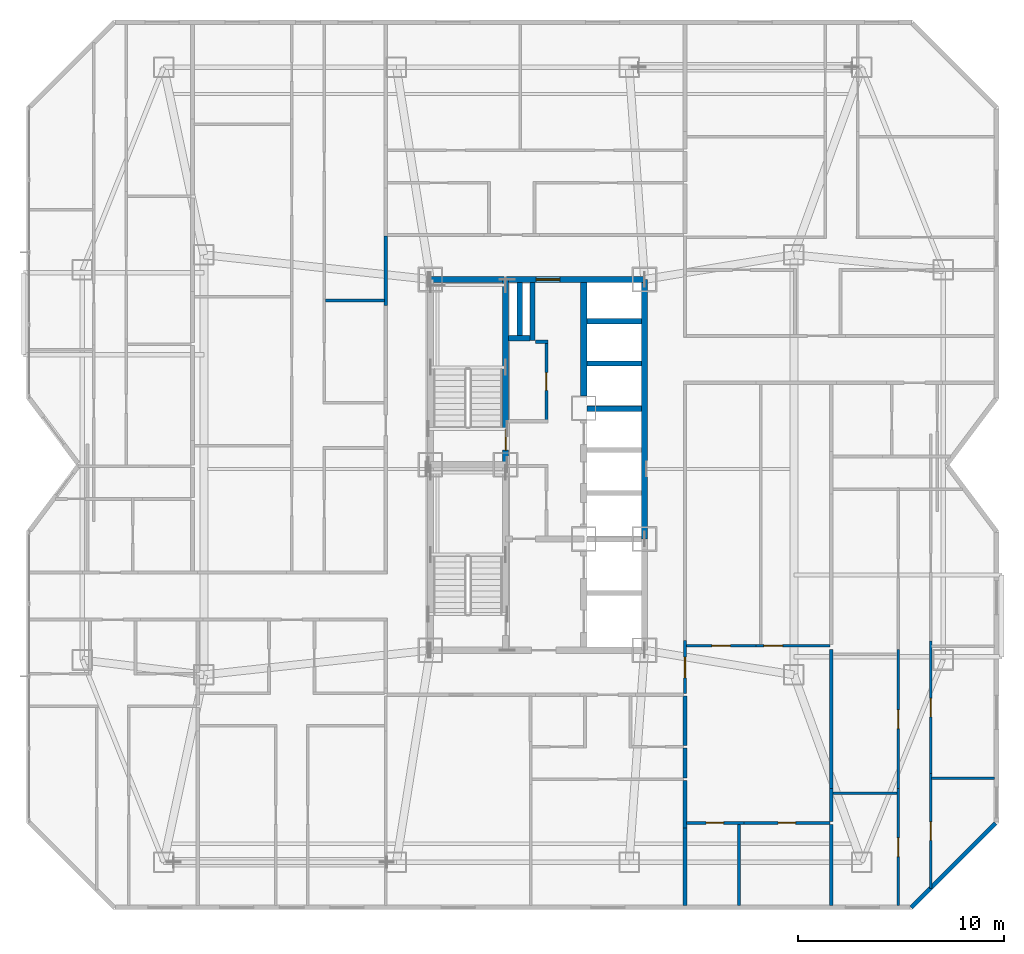
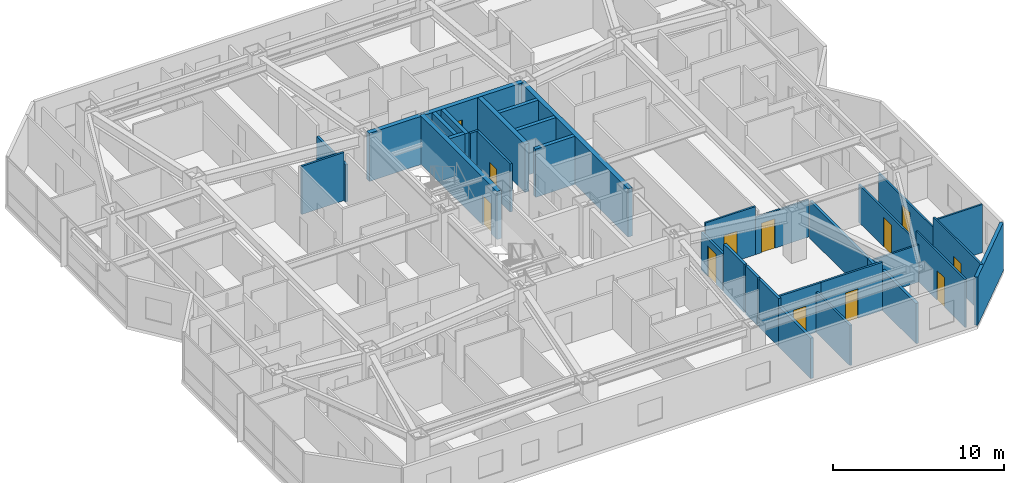
# One storey, part 17 of 21: 34 walls, 12 doors, 12 openings.
"""IFC4 building model written with IfcOpenShell, lengths in metres."""

from ifc_helpers import new_model, si_unit, direction, frame, frame_2d, origin, place, context, subcontext, project, spatial, rectangle, extrude, material, layer, layer_set, type_object, element, fill, save


model = new_model("IFC4")

# Units and contexts
model_context = context("Model", 3, precision=1e-05, world=origin(), true_north=direction((0.0, 1.0)))
body_context = subcontext(model_context, "Body", "Model", "MODEL_VIEW")
ifc_project = project(units=[si_unit("LENGTHUNIT", "METRE"), si_unit("AREAUNIT", "SQUARE_METRE"), si_unit("VOLUMEUNIT", "CUBIC_METRE"), si_unit("PLANEANGLEUNIT", "RADIAN"), si_unit("MASSUNIT", "GRAM", prefix="KILO")], contexts=[model_context])

# Site, building, storey
site_placement = place(None, origin())
site = spatial("IfcSite", under=ifc_project, at=site_placement, CompositionType="ELEMENT")
building_placement = place(site_placement, origin())
building = spatial("IfcBuilding", under=site, at=building_placement, Name="Khamvora Tower", CompositionType="ELEMENT")
storey_placement = place(building_placement, frame((0.0, 0.0, 98.25)))
storey = spatial("IfcBuildingStorey", under=building, at=storey_placement, Name="L24", CompositionType="ELEMENT", Elevation=98.25)

# Wall, opening, door
ifc_material_1 = material(Name="Concrete C50/60", Category="concrete")
ifc_layer_1 = layer(ifc_material_1, 0.300048828125)
ifc_layer_set_1 = layer_set([ifc_layer_1], Name="Concrete C50/60")
wall_type_1 = type_object("IfcWallType", Name="WAL-CORE-300", PredefinedType="SHEAR", material=ifc_layer_set_1)
wall_1_placement = place(storey_placement, frame((29.0, 37.0, 0.0), z_axis=(0.0, 0.0, 1.0), x_axis=(1.0, 0.0, 0.0)))
wall_1 = element("IfcWall", 1, at=wall_1_placement, inside=storey, type_object=wall_type_1, Name="L24 central core north wall", PredefinedType="SHEAR", context=body_context, shape_type="SweptSolid", body=[
    extrude(rectangle(XDim=10.39990234375, YDim=0.300048828125, at=frame_2d((5.199951171875, 0.0))), origin(), (0.0, 0.0, 1.0), 3.429931640625),
])
opening_1_placement = place(wall_1_placement, frame((5.139892578125, 0.0, 0.0)))
opening_1 = element("IfcOpeningElement", 2, at=opening_1_placement, cuts=wall_1, Name="Opening D-SC1", PredefinedType="OPENING", context=body_context, shape_type="SweptSolid", body=[
    extrude(rectangle(XDim=1.14990234375, YDim=2.199951171875, at=frame_2d((0.574951171875, 1.10009765625))), frame((0.0, 0.159912109375, 0.0), z_axis=(0.0, -1.0, 0.0), x_axis=(1.0, 0.0, 0.0)), (0.0, 0.0, 1.0), 0.320068359375),
])
ifc_material_2 = material(Name="Powder-Coated Steel and Hardwood Leaf", Category="steel")
door_type_1 = type_object("IfcDoorType", Name="DOR-SCHL-1150", OperationType="NOTDEFINED", PredefinedType="DOOR", material=ifc_material_2)
door_1_placement = place(opening_1_placement, origin())
door_1 = element("IfcDoor", 3, at=door_1_placement, inside=storey, type_object=door_type_1, Name="L24 north core lobby to corridor fire door", OperationType="SINGLE_SWING_RIGHT", OverallHeight=2.199951171875, OverallWidth=1.14990234375, PredefinedType="DOOR", context=body_context, shape_type="SweptSolid", body=[
    extrude(rectangle(XDim=1.14990234375, YDim=2.199951171875, at=frame_2d((0.574951171875, 1.10009765625))), frame((0.0, 0.02490234375, 0.0), z_axis=(0.0, -1.0, 0.0), x_axis=(1.0, 0.0, 0.0)), (0.0, 0.0, 1.0), 0.050048828125),
])
fill(opening_1, door_1)

# Wall
wall_2_placement = place(storey_placement, frame((39.39990234375, 24.39990234375, 0.0), z_axis=(0.0, 0.0, 1.0), x_axis=(0.0, 1.0, 0.0)))
element("IfcWall", 4, at=wall_2_placement, inside=storey, type_object=wall_type_1, Name="L24 central core east north wall", PredefinedType="SHEAR", context=body_context, shape_type="SweptSolid", body=[
    extrude(rectangle(XDim=12.60009765625, YDim=0.300048828125, at=frame_2d((6.300048828125, 0.0))), origin(), (0.0, 0.0, 1.0), 3.429931640625),
])

# Wall, opening, door
wall_3_placement = place(storey_placement, frame((32.64990234375, 28.0, 0.0), z_axis=(0.0, 0.0, 1.0), x_axis=(0.0, 1.0, 0.0)))
wall_3 = element("IfcWall", 5, at=wall_3_placement, inside=storey, type_object=wall_type_1, Name="L24 central core stair north spine wall", PredefinedType="SHEAR", context=body_context, shape_type="SweptSolid", body=[
    extrude(rectangle(XDim=9.0, YDim=0.300048828125, at=frame_2d((4.5, 0.0))), origin(), (0.0, 0.0, 1.0), 3.429931640625),
])
opening_2_placement = place(wall_3_placement, frame((0.719970703125, 0.0, 0.0)))
opening_2 = element("IfcOpeningElement", 6, at=opening_2_placement, cuts=wall_3, Name="Opening D-ST1", PredefinedType="OPENING", context=body_context, shape_type="SweptSolid", body=[
    extrude(rectangle(XDim=1.0, YDim=2.14990234375, at=frame_2d((0.5, 1.074951171875))), frame((0.0, 0.159912109375, 0.0), z_axis=(0.0, -1.0, 0.0), x_axis=(1.0, 0.0, 0.0)), (0.0, 0.0, 1.0), 0.320068359375),
])
door_type_2 = type_object("IfcDoorType", Name="DOR-STAIR-1000", OperationType="NOTDEFINED", PredefinedType="DOOR", material=ifc_material_2)
door_2_placement = place(opening_2_placement, origin())
door_2 = element("IfcDoor", 7, at=door_2_placement, inside=storey, type_object=door_type_2, Name="L24 exit stair ST-02 fire door", OperationType="SINGLE_SWING_RIGHT", OverallHeight=2.14990234375, OverallWidth=1.0, PredefinedType="DOOR", context=body_context, shape_type="SweptSolid", body=[
    extrude(rectangle(XDim=1.0, YDim=2.14990234375, at=frame_2d((0.5, 1.074951171875))), frame((0.0, 0.02490234375, 0.0), z_axis=(0.0, -1.0, 0.0), x_axis=(1.0, 0.0, 0.0)), (0.0, 0.0, 1.0), 0.050048828125),
])
fill(opening_2, door_2)

# Wall
wall_4_placement = place(storey_placement, frame((36.449951171875, 31.35009765625, 0.0), z_axis=(0.0, 0.0, 1.0), x_axis=(0.0, 1.0, 0.0)))
element("IfcWall", 8, at=wall_4_placement, inside=storey, type_object=wall_type_1, Name="L24 central core lift bank north wall", PredefinedType="SHEAR", context=body_context, shape_type="SweptSolid", body=[
    extrude(rectangle(XDim=5.495849609375, YDim=0.300048828125, at=frame_2d((2.748046875, 0.0))), origin(), (0.0, 0.0, 1.0), 3.429931640625),
])

# Wall, opening, door
ifc_material_3 = material(Name="Fire-Rated Drywall and Steel Stud", Category="steel")
ifc_layer_2 = layer(ifc_material_3, 0.14990234375)
ifc_layer_set_2 = layer_set([ifc_layer_2], Name="Fire-Rated Drywall and Steel Stud")
wall_type_2 = type_object("IfcWallType", Name="WAL-CORR-150", PredefinedType="STANDARD", material=ifc_layer_set_2)
wall_5_placement = place(storey_placement, frame((34.635009765625, 30.052001953125, 0.0), z_axis=(0.0, 0.0, 1.0), x_axis=(0.0, 1.0, 0.0)))
wall_5 = element("IfcWall", 9, at=wall_5_placement, inside=storey, type_object=wall_type_2, Name="L24 interior partition wall 002", PredefinedType="STANDARD", context=body_context, shape_type="SweptSolid", body=[
    extrude(rectangle(XDim=3.988037109375, YDim=0.14990234375, at=frame_2d((1.994140625, 0.0))), origin(), (0.0, 0.0, 1.0), 3.429931640625),
])
opening_3_placement = place(wall_5_placement, frame((1.569091796875, 0.0, 0.0)))
opening_3 = element("IfcOpeningElement", 10, at=opening_3_placement, cuts=wall_5, Name="Opening D-WC1", PredefinedType="OPENING", context=body_context, shape_type="SweptSolid", body=[
    extrude(rectangle(XDim=0.85009765625, YDim=2.10009765625, at=frame_2d((0.425048828125, 1.050048828125))), frame((0.0, 0.0849609375, 0.0), z_axis=(0.0, -1.0, 0.0), x_axis=(1.0, 0.0, 0.0)), (0.0, 0.0, 1.0), 0.169921875),
])
door_type_3 = type_object("IfcDoorType", Name="DOR-WET-850", OperationType="NOTDEFINED", PredefinedType="DOOR", material=ifc_material_2)
door_3_placement = place(opening_3_placement, origin())
door_3 = element("IfcDoor", 11, at=door_3_placement, inside=storey, type_object=door_type_3, Name="L24 interior door PLL-CS1", OperationType="SINGLE_SWING_LEFT", OverallHeight=2.10009765625, OverallWidth=0.85009765625, PredefinedType="DOOR", context=body_context, shape_type="SweptSolid", body=[
    extrude(rectangle(XDim=0.85009765625, YDim=2.10009765625, at=frame_2d((0.425048828125, 1.050048828125))), frame((0.0, 0.02490234375, 0.0), z_axis=(0.0, -1.0, 0.0), x_axis=(1.0, 0.0, 0.0)), (0.0, 0.0, 1.0), 0.050048828125),
])
fill(opening_3, door_3)

# Walls
wall_6_placement = place(storey_placement, frame((34.699951171875, 33.97509765625, 0.0), z_axis=(0.0, 0.0, 1.0), x_axis=(-1.0, 0.0, 0.0)))
element("IfcWall", 12, at=wall_6_placement, inside=storey, type_object=wall_type_2, Name="L24 interior partition wall 003", PredefinedType="STANDARD", context=body_context, shape_type="SweptSolid", body=[
    extrude(rectangle(XDim=0.599853515625, YDim=0.14990234375, at=frame_2d((0.2998046875, 0.0))), origin(), (0.0, 0.0, 1.0), 3.429931640625),
])
wall_7_placement = place(storey_placement, frame((26.8349609375, 35.73193359375, 0.0), z_axis=(0.0, 0.0, 1.0), x_axis=(0.0, 1.0, 0.0)))
element("IfcWall", 13, at=wall_7_placement, inside=storey, type_object=wall_type_2, Name="L24 interior partition wall 018", PredefinedType="STANDARD", context=body_context, shape_type="SweptSolid", body=[
    extrude(rectangle(XDim=3.3681640625, YDim=0.14990234375, at=frame_2d((1.68408203125, 0.0))), origin(), (0.0, 0.0, 1.0), 2.64697265625),
])

# Wall, opening, door
wall_8_placement = place(storey_placement, frame((41.364990234375, 19.458984375, 0.0), z_axis=(0.0, 0.0, 1.0), x_axis=(0.0, -1.0, 0.0)))
wall_8 = element("IfcWall", 14, at=wall_8_placement, inside=storey, type_object=wall_type_2, Name="L24 interior partition wall 031", PredefinedType="STANDARD", context=body_context, shape_type="SweptSolid", body=[
    extrude(rectangle(XDim=2.55908203125, YDim=0.14990234375, at=frame_2d((1.279541015625, 0.0))), origin(), (0.0, 0.0, 1.0), 2.64697265625),
])
opening_4_placement = place(wall_8_placement, frame((0.800048828125, 0.0, 0.0)))
opening_4 = element("IfcOpeningElement", 15, at=opening_4_placement, cuts=wall_8, Name="Opening D-U1", PredefinedType="OPENING", context=body_context, shape_type="SweptSolid", body=[
    extrude(rectangle(XDim=1.0, YDim=2.14990234375, at=frame_2d((0.5, 1.074951171875))), frame((0.0, 0.0849609375, 0.0), z_axis=(0.0, -1.0, 0.0), x_axis=(1.0, 0.0, 0.0)), (0.0, 0.0, 1.0), 0.169921875),
])
door_type_4 = type_object("IfcDoorType", Name="DOR-UNIT-1000", OperationType="NOTDEFINED", PredefinedType="DOOR", material=ifc_material_2)
door_4_placement = place(opening_4_placement, origin())
door_4 = element("IfcDoor", 16, at=door_4_placement, inside=storey, type_object=door_type_4, Name="L24 interior door COR-24EAH", OperationType="SINGLE_SWING_RIGHT", OverallHeight=2.14990234375, OverallWidth=1.0, PredefinedType="DOOR", context=body_context, shape_type="SweptSolid", body=[
    extrude(rectangle(XDim=1.0, YDim=2.14990234375, at=frame_2d((0.5, 1.074951171875))), frame((0.0, 0.02490234375, 0.0), z_axis=(0.0, -1.0, 0.0), x_axis=(1.0, 0.0, 0.0)), (0.0, 0.0, 1.0), 0.050048828125),
])
fill(opening_4, door_4)

# Walls
ifc_material_4 = material(Name="Acoustic Double-Stud Fire Wall", Category="gypsum")
ifc_layer_3 = layer(ifc_material_4, 0.179931640625)
ifc_layer_set_3 = layer_set([ifc_layer_3], Name="Acoustic Double-Stud Fire Wall")
wall_type_3 = type_object("IfcWallType", Name="WAL-CORR-180", PredefinedType="STANDARD", material=ifc_layer_set_3)
wall_9_placement = place(storey_placement, frame((41.364990234375, 14.239990234375, 0.0), z_axis=(0.0, 0.0, 1.0), x_axis=(0.0, -1.0, 0.0)))
element("IfcWall", 17, at=wall_9_placement, inside=storey, type_object=wall_type_3, Name="L24 interior partition wall 114", PredefinedType="STANDARD", context=body_context, shape_type="SweptSolid", body=[
    extrude(rectangle(XDim=1.449951171875, YDim=0.179931640625, at=frame_2d((0.72509765625, 0.0))), origin(), (0.0, 0.0, 1.0), 3.429931640625),
])
wall_10_placement = place(storey_placement, frame((41.364990234375, 16.77001953125, 0.0), z_axis=(0.0, 0.0, 1.0), x_axis=(0.0, -1.0, 0.0)))
element("IfcWall", 18, at=wall_10_placement, inside=storey, type_object=wall_type_3, Name="L24 interior partition wall 115", PredefinedType="STANDARD", context=body_context, shape_type="SweptSolid", body=[
    extrude(rectangle(XDim=2.39990234375, YDim=0.179931640625, at=frame_2d((1.199951171875, 0.0))), origin(), (0.0, 0.0, 1.0), 3.429931640625),
])
wall_11_placement = place(storey_placement, frame((41.364990234375, 12.659912109375, 0.0), z_axis=(0.0, 0.0, 1.0), x_axis=(0.0, -1.0, 0.0)))
element("IfcWall", 19, at=wall_11_placement, inside=storey, type_object=wall_type_3, Name="L24 interior partition wall 116", PredefinedType="STANDARD", context=body_context, shape_type="SweptSolid", body=[
    extrude(rectangle(XDim=2.298828125, YDim=0.179931640625, at=frame_2d((1.1494140625, 0.0))), origin(), (0.0, 0.0, 1.0), 3.429931640625),
])
wall_12_placement = place(storey_placement, frame((41.364990234375, 10.361083984375, 0.0), z_axis=(0.0, 0.0, 1.0), x_axis=(0.0, -1.0, 0.0)))
element("IfcWall", 20, at=wall_12_placement, inside=storey, type_object=wall_type_3, Name="L24 interior partition wall 117", PredefinedType="STANDARD", context=body_context, shape_type="SweptSolid", body=[
    extrude(rectangle(XDim=3.7490234375, YDim=0.179931640625, at=frame_2d((1.87451171875, 0.0))), origin(), (0.0, 0.0, 1.0), 2.8759765625),
])
wall_13_placement = place(storey_placement, frame((48.4599609375, 12.2919921875, 0.0), z_axis=(0.0, 0.0, 1.0), x_axis=(0.0, -1.0, 0.0)))
element("IfcWall", 21, at=wall_13_placement, inside=storey, type_object=wall_type_3, Name="L24 interior partition wall 133", PredefinedType="STANDARD", context=body_context, shape_type="SweptSolid", body=[
    extrude(rectangle(XDim=1.616943359375, YDim=0.179931640625, at=frame_2d((0.80859375, 0.0))), origin(), (0.0, 0.0, 1.0), 2.64697265625),
])
wall_14_placement = place(storey_placement, frame((48.4599609375, 19.0419921875, 0.0), z_axis=(0.0, 0.0, 1.0), x_axis=(0.0, -1.0, 0.0)))
element("IfcWall", 22, at=wall_14_placement, inside=storey, type_object=wall_type_3, Name="L24 interior partition wall 134", PredefinedType="STANDARD", context=body_context, shape_type="SweptSolid", body=[
    extrude(rectangle(XDim=6.75, YDim=0.179931640625, at=frame_2d((3.375, 0.0))), origin(), (0.0, 0.0, 1.0), 2.64697265625),
])
wall_15_placement = place(storey_placement, frame((48.4599609375, 10.544921875, 0.0), z_axis=(0.0, 0.0, 1.0), x_axis=(0.0, -1.0, 0.0)))
element("IfcWall", 23, at=wall_15_placement, inside=storey, type_object=wall_type_3, Name="L24 interior partition wall 140", PredefinedType="STANDARD", context=body_context, shape_type="SweptSolid", body=[
    extrude(rectangle(XDim=3.932861328125, YDim=0.179931640625, at=frame_2d((1.96630859375, 0.0))), origin(), (0.0, 0.0, 1.0), 2.8759765625),
])
ifc_material_5 = material(Name="Precast concrete C40/50", Category="concrete")
ifc_layer_4 = layer(ifc_material_5, 0.219970703125)
ifc_layer_set_4 = layer_set([ifc_layer_4], Name="Precast concrete C40/50")
wall_type_4 = type_object("IfcWallType", Name="WAL-EXT-220", PredefinedType="STANDARD", material=ifc_layer_set_4)
wall_16_placement = place(storey_placement, frame((56.43994140625, 10.595947265625, 0.0), z_axis=(0.0, 0.0, 1.0), x_axis=(-0.707106781187, -0.707106781187, 0.0)))
element("IfcWall", 24, at=wall_16_placement, inside=storey, type_object=wall_type_4, Name="L24 exterior facade wall 13.1", PredefinedType="STANDARD", context=body_context, shape_type="SweptSolid", body=[
    extrude(rectangle(XDim=5.7783203125, YDim=0.219970703125, at=frame_2d((2.88916015625, 0.0))), origin(), (0.0, 0.0, 1.0), 3.429931640625),
])

# Wall, opening, door
ifc_material_6 = material(Name="Gypsum Plasterboard Partition", Category="gypsum")
ifc_layer_5 = layer(ifc_material_6, 0.1201171875)
ifc_layer_set_5 = layer_set([ifc_layer_5], Name="Gypsum Plasterboard Partition")
wall_type_5 = type_object("IfcWallType", Name="WAL-PART-120", PredefinedType="PARTITIONING", material=ifc_layer_set_5)
wall_17_placement = place(storey_placement, frame((44.802978515625, 19.2099609375, 0.0), z_axis=(0.0, 0.0, 1.0), x_axis=(1.0, 0.0, 0.0)))
wall_17 = element("IfcWall", 25, at=wall_17_placement, inside=storey, type_object=wall_type_5, Name="L24 interior partition wall 129", PredefinedType="PARTITIONING", context=body_context, shape_type="SweptSolid", body=[
    extrude(rectangle(XDim=3.592041015625, YDim=0.1201171875, at=frame_2d((1.7958984375, 0.0))), origin(), (0.0, 0.0, 1.0), 2.64697265625),
])
opening_5_placement = place(wall_17_placement, frame((0.39697265625, 0.0, 0.0)))
opening_5 = element("IfcOpeningElement", 26, at=opening_5_placement, cuts=wall_17, Name="Opening D-RM1", PredefinedType="OPENING", context=body_context, shape_type="SweptSolid", body=[
    extrude(rectangle(XDim=0.89990234375, YDim=2.10009765625, at=frame_2d((0.449951171875, 1.050048828125))), frame((0.0, 0.070068359375, 0.0), z_axis=(0.0, -1.0, 0.0), x_axis=(1.0, 0.0, 0.0)), (0.0, 0.0, 1.0), 0.14013671875),
])
door_type_5 = type_object("IfcDoorType", Name="DOR-ROOM-900", OperationType="NOTDEFINED", PredefinedType="DOOR", material=ifc_material_2)
door_5_placement = place(opening_5_placement, origin())
door_5 = element("IfcDoor", 27, at=door_5_placement, inside=storey, type_object=door_type_5, Name="L24 interior door 24EAH-24EAR2", OperationType="SINGLE_SWING_LEFT", OverallHeight=2.10009765625, OverallWidth=0.89990234375, PredefinedType="DOOR", context=body_context, shape_type="SweptSolid", body=[
    extrude(rectangle(XDim=0.89990234375, YDim=2.10009765625, at=frame_2d((0.449951171875, 1.050048828125))), frame((0.0, 0.02490234375, 0.0), z_axis=(0.0, -1.0, 0.0), x_axis=(1.0, 0.0, 0.0)), (0.0, 0.0, 1.0), 0.050048828125),
])
fill(opening_5, door_5)

wall_18_placement = place(storey_placement, frame((41.431884765625, 19.2099609375, 0.0), z_axis=(0.0, 0.0, 1.0), x_axis=(1.0, 0.0, 0.0)))
wall_18 = element("IfcWall", 28, at=wall_18_placement, inside=storey, type_object=wall_type_5, Name="L24 interior partition wall 132", PredefinedType="PARTITIONING", context=body_context, shape_type="SweptSolid", body=[
    extrude(rectangle(XDim=3.37109375, YDim=0.1201171875, at=frame_2d((1.685546875, 0.0))), origin(), (0.0, 0.0, 1.0), 3.429931640625),
])
opening_6_placement = place(wall_18_placement, frame((1.236083984375, 0.0, 0.0)))
opening_6 = element("IfcOpeningElement", 29, at=opening_6_placement, cuts=wall_18, Name="Opening D-RM1", PredefinedType="OPENING", context=body_context, shape_type="SweptSolid", body=[
    extrude(rectangle(XDim=0.89990234375, YDim=2.10009765625, at=frame_2d((0.449951171875, 1.050048828125))), frame((0.0, 0.070068359375, 0.0), z_axis=(0.0, -1.0, 0.0), x_axis=(1.0, 0.0, 0.0)), (0.0, 0.0, 1.0), 0.14013671875),
])
door_6_placement = place(opening_6_placement, origin())
door_6 = element("IfcDoor", 30, at=door_6_placement, inside=storey, type_object=door_type_5, Name="L24 interior door 24EAH-24EAR1", OperationType="SINGLE_SWING_LEFT", OverallHeight=2.10009765625, OverallWidth=0.89990234375, PredefinedType="DOOR", context=body_context, shape_type="SweptSolid", body=[
    extrude(rectangle(XDim=0.89990234375, YDim=2.10009765625, at=frame_2d((0.449951171875, 1.050048828125))), frame((0.0, 0.02490234375, 0.0), z_axis=(0.0, -1.0, 0.0), x_axis=(1.0, 0.0, 0.0)), (0.0, 0.0, 1.0), 0.050048828125),
])
fill(opening_6, door_6)

wall_19_placement = place(storey_placement, frame((51.722900390625, 6.612060546875, 0.0), z_axis=(0.0, 0.0, 1.0), x_axis=(0.0, 1.0, 0.0)))
wall_19 = element("IfcWall", 31, at=wall_19_placement, inside=storey, type_object=wall_type_5, Name="L24 interior partition wall 145", PredefinedType="PARTITIONING", context=body_context, shape_type="SweptSolid", body=[
    extrude(rectangle(XDim=5.679931640625, YDim=0.1201171875, at=frame_2d((2.83984375, 0.0))), origin(), (0.0, 0.0, 1.0), 3.429931640625),
])
opening_7_placement = place(wall_19_placement, frame((2.368896484375, 0.0, 0.0)))
opening_7 = element("IfcOpeningElement", 32, at=opening_7_placement, cuts=wall_19, Name="Opening D-RM1", PredefinedType="OPENING", context=body_context, shape_type="SweptSolid", body=[
    extrude(rectangle(XDim=0.89990234375, YDim=2.10009765625, at=frame_2d((0.449951171875, 1.050048828125))), frame((0.0, 0.070068359375, 0.0), z_axis=(0.0, -1.0, 0.0), x_axis=(1.0, 0.0, 0.0)), (0.0, 0.0, 1.0), 0.14013671875),
])
door_7_placement = place(opening_7_placement, origin())
door_7 = element("IfcDoor", 33, at=door_7_placement, inside=storey, type_object=door_type_5, Name="L24 interior door 24EBH-24EBL", OperationType="SINGLE_SWING_LEFT", OverallHeight=2.10009765625, OverallWidth=0.89990234375, PredefinedType="DOOR", context=body_context, shape_type="SweptSolid", body=[
    extrude(rectangle(XDim=0.89990234375, YDim=2.10009765625, at=frame_2d((0.449951171875, 1.050048828125))), frame((0.0, 0.02490234375, 0.0), z_axis=(0.0, -1.0, 0.0), x_axis=(1.0, 0.0, 0.0)), (0.0, 0.0, 1.0), 0.050048828125),
])
fill(opening_7, door_7)

wall_20_placement = place(storey_placement, frame((51.722900390625, 12.2919921875, 0.0), z_axis=(0.0, 0.0, 1.0), x_axis=(0.0, 1.0, 0.0)))
wall_20 = element("IfcWall", 34, at=wall_20_placement, inside=storey, type_object=wall_type_5, Name="L24 interior partition wall 146", PredefinedType="PARTITIONING", context=body_context, shape_type="SweptSolid", body=[
    extrude(rectangle(XDim=6.75, YDim=0.1201171875, at=frame_2d((3.375, 0.0))), origin(), (0.0, 0.0, 1.0), 2.68701171875),
])
opening_8_placement = place(wall_20_placement, frame((2.904052734375, 0.0, 0.0)))
opening_8 = element("IfcOpeningElement", 35, at=opening_8_placement, cuts=wall_20, Name="Opening D-RM1", PredefinedType="OPENING", context=body_context, shape_type="SweptSolid", body=[
    extrude(rectangle(XDim=0.89990234375, YDim=2.10009765625, at=frame_2d((0.449951171875, 1.050048828125))), frame((0.0, 0.070068359375, 0.0), z_axis=(0.0, -1.0, 0.0), x_axis=(1.0, 0.0, 0.0)), (0.0, 0.0, 1.0), 0.14013671875),
])
door_8_placement = place(opening_8_placement, origin())
door_8 = element("IfcDoor", 36, at=door_8_placement, inside=storey, type_object=door_type_5, Name="L24 interior door 24EBH-24EBR2", OperationType="SINGLE_SWING_RIGHT", OverallHeight=2.10009765625, OverallWidth=0.89990234375, PredefinedType="DOOR", context=body_context, shape_type="SweptSolid", body=[
    extrude(rectangle(XDim=0.89990234375, YDim=2.10009765625, at=frame_2d((0.449951171875, 1.050048828125))), frame((0.0, 0.02490234375, 0.0), z_axis=(0.0, -1.0, 0.0), x_axis=(1.0, 0.0, 0.0)), (0.0, 0.0, 1.0), 0.050048828125),
])
fill(opening_8, door_8)

wall_21_placement = place(storey_placement, frame((53.2919921875, 13.02099609375, 0.0), z_axis=(0.0, 0.0, 1.0), x_axis=(0.0, -1.0, 0.0)))
wall_21 = element("IfcWall", 37, at=wall_21_placement, inside=storey, type_object=wall_type_5, Name="L24 interior partition wall 149", PredefinedType="PARTITIONING", context=body_context, shape_type="SweptSolid", body=[
    extrude(rectangle(XDim=5.58203125, YDim=0.1201171875, at=frame_2d((2.791015625, 0.0))), origin(), (0.0, 0.0, 1.0), 3.429931640625),
])
opening_9_placement = place(wall_21_placement, frame((2.362060546875, 0.0, 0.0)))
opening_9 = element("IfcOpeningElement", 38, at=opening_9_placement, cuts=wall_21, Name="Opening D-RM1", PredefinedType="OPENING", context=body_context, shape_type="SweptSolid", body=[
    extrude(rectangle(XDim=0.89990234375, YDim=2.10009765625, at=frame_2d((0.449951171875, 1.050048828125))), frame((0.0, 0.070068359375, 0.0), z_axis=(0.0, -1.0, 0.0), x_axis=(1.0, 0.0, 0.0)), (0.0, 0.0, 1.0), 0.14013671875),
])
door_9_placement = place(opening_9_placement, origin())
door_9 = element("IfcDoor", 39, at=door_9_placement, inside=storey, type_object=door_type_5, Name="L24 interior door 24EBH-24EBR4", OperationType="SINGLE_SWING_RIGHT", OverallHeight=2.10009765625, OverallWidth=0.89990234375, PredefinedType="DOOR", context=body_context, shape_type="SweptSolid", body=[
    extrude(rectangle(XDim=0.89990234375, YDim=2.10009765625, at=frame_2d((0.449951171875, 1.050048828125))), frame((0.0, 0.02490234375, 0.0), z_axis=(0.0, -1.0, 0.0), x_axis=(1.0, 0.0, 0.0)), (0.0, 0.0, 1.0), 0.050048828125),
])
fill(opening_9, door_9)

wall_22_placement = place(storey_placement, frame((53.2919921875, 19.43701171875, 0.0), z_axis=(0.0, 0.0, 1.0), x_axis=(0.0, -1.0, 0.0)))
wall_22 = element("IfcWall", 40, at=wall_22_placement, inside=storey, type_object=wall_type_5, Name="L24 interior partition wall 150", PredefinedType="PARTITIONING", context=body_context, shape_type="SweptSolid", body=[
    extrude(rectangle(XDim=6.416015625, YDim=0.1201171875, at=frame_2d((3.2080078125, 0.0))), origin(), (0.0, 0.0, 1.0), 2.68701171875),
])
opening_10_placement = place(wall_22_placement, frame((2.780029296875, 0.0, 0.0)))
opening_10 = element("IfcOpeningElement", 41, at=opening_10_placement, cuts=wall_22, Name="Opening D-RM1", PredefinedType="OPENING", context=body_context, shape_type="SweptSolid", body=[
    extrude(rectangle(XDim=0.89990234375, YDim=2.10009765625, at=frame_2d((0.449951171875, 1.050048828125))), frame((0.0, 0.070068359375, 0.0), z_axis=(0.0, -1.0, 0.0), x_axis=(1.0, 0.0, 0.0)), (0.0, 0.0, 1.0), 0.14013671875),
])
door_10_placement = place(opening_10_placement, origin())
door_10 = element("IfcDoor", 42, at=door_10_placement, inside=storey, type_object=door_type_5, Name="L24 interior door 24EBH-24EBR5", OperationType="SINGLE_SWING_LEFT", OverallHeight=2.10009765625, OverallWidth=0.89990234375, PredefinedType="DOOR", context=body_context, shape_type="SweptSolid", body=[
    extrude(rectangle(XDim=0.89990234375, YDim=2.10009765625, at=frame_2d((0.449951171875, 1.050048828125))), frame((0.0, 0.02490234375, 0.0), z_axis=(0.0, -1.0, 0.0), x_axis=(1.0, 0.0, 0.0)), (0.0, 0.0, 1.0), 0.050048828125),
])
fill(opening_10, door_10)

# Walls
wall_23_placement = place(storey_placement, frame((48.5419921875, 12.04296875, 0.0), z_axis=(0.0, 0.0, 1.0), x_axis=(1.0, 0.0, 0.0)))
element("IfcWall", 43, at=wall_23_placement, inside=storey, type_object=wall_type_5, Name="L24 interior partition wall 153", PredefinedType="PARTITIONING", context=body_context, shape_type="SweptSolid", body=[
    extrude(rectangle(XDim=3.126953125, YDim=0.1201171875, at=frame_2d((1.5634765625, 0.0))), origin(), (0.0, 0.0, 1.0), 2.64697265625),
])
wall_24_placement = place(storey_placement, frame((53.345947265625, 12.77197265625, 0.0), z_axis=(0.0, 0.0, 1.0), x_axis=(1.0, 0.0, 0.0)))
element("IfcWall", 44, at=wall_24_placement, inside=storey, type_object=wall_type_5, Name="L24 interior partition wall 155", PredefinedType="PARTITIONING", context=body_context, shape_type="SweptSolid", body=[
    extrude(rectangle(XDim=3.0419921875, YDim=0.1201171875, at=frame_2d((1.52099609375, 0.0))), origin(), (0.0, 0.0, 1.0), 3.429931640625),
])
ifc_material_7 = material(Name="Concrete C40/50", Category="concrete")
ifc_layer_6 = layer(ifc_material_7, 0.25)
ifc_layer_set_6 = layer_set([ifc_layer_6], Name="Concrete C40/50")
wall_type_6 = type_object("IfcWallType", Name="WAL-PODS-250", PredefinedType="SHEAR", material=ifc_layer_set_6)
for number, where, z_axis, x_axis, name in (
    (45, (36.60400390625, 30.72509765625, 0.0), (0.0, 0.0, 1.0), (1.0, 0.0, 0.0), "L24 lift shaft divider wall PL-03"),
    (46, (36.60400390625, 32.925048828125, 0.0), (0.0, 0.0, 1.0), (1.0, 0.0, 0.0), "L24 lift shaft divider wall PH-01"),
    (47, (36.60400390625, 34.97509765625, 0.0), (0.0, 0.0, 1.0), (1.0, 0.0, 0.0), "L24 lift shaft divider wall PH-02"),
):
    element("IfcWall", number, at=place(storey_placement, frame(where, z_axis=z_axis, x_axis=x_axis)), inside=storey, type_object=wall_type_6, Name=name, PredefinedType="SHEAR", context=body_context, shape_type="SweptSolid", body=[
        extrude(rectangle(XDim=2.64208984375, YDim=0.25, at=frame_2d((1.321044921875, 0.0))), origin(), (0.0, 0.0, 1.0), 3.429931640625),
    ])
wall_25_placement = place(storey_placement, frame((33.955078125, 34.02490234375, 0.0), z_axis=(0.0, 0.0, 1.0), x_axis=(0.0, 1.0, 0.0)))
element("IfcWall", 48, at=wall_25_placement, inside=storey, type_object=wall_type_6, Name="L24 vertical MEP riser shaft east enclosure wall", PredefinedType="SHEAR", context=body_context, shape_type="SweptSolid", body=[
    extrude(rectangle(XDim=2.821044921875, YDim=0.25, at=frame_2d((1.41064453125, 0.0))), origin(), (0.0, 0.0, 1.0), 3.429931640625),
])
wall_26_placement = place(storey_placement, frame((32.803955078125, 34.14990234375, 0.0), z_axis=(0.0, 0.0, 1.0), x_axis=(1.0, 0.0, 0.0)))
element("IfcWall", 49, at=wall_26_placement, inside=storey, type_object=wall_type_6, Name="L24 vertical MEP riser shaft south enclosure wall", PredefinedType="SHEAR", context=body_context, shape_type="SweptSolid", body=[
    extrude(rectangle(XDim=1.02197265625, YDim=0.25, at=frame_2d((0.510986328125, 0.0))), origin(), (0.0, 0.0, 1.0), 3.429931640625),
])
wall_27_placement = place(storey_placement, frame((33.340087890625, 34.279052734375, 0.0), z_axis=(0.0, 0.0, 1.0), x_axis=(0.0, 1.0, 0.0)))
element("IfcWall", 50, at=wall_27_placement, inside=storey, type_object=wall_type_6, Name="L24 vertical MEP riser shaft divider enclosure wall", PredefinedType="SHEAR", context=body_context, shape_type="SweptSolid", body=[
    extrude(rectangle(XDim=2.56689453125, YDim=0.25, at=frame_2d((1.283447265625, 0.0))), origin(), (0.0, 0.0, 1.0), 3.429931640625),
])
ifc_material_8 = material(Name="Moisture-Resistant Plasterboard Partition", Category="gypsum")
ifc_layer_7 = layer(ifc_material_8, 0.135009765625)
ifc_layer_set_7 = layer_set([ifc_layer_7], Name="Moisture-Resistant Plasterboard Partition")
wall_type_7 = type_object("IfcWallType", Name="WAL-WET-135", PredefinedType="PARTITIONING", material=ifc_layer_set_7)
wall_28_placement = place(storey_placement, frame((26.77001953125, 35.98095703125, 0.0), z_axis=(0.0, 0.0, 1.0), x_axis=(-1.0, 0.0, 0.0)))
element("IfcWall", 51, at=wall_28_placement, inside=storey, type_object=wall_type_7, Name="L24 interior partition wall 094", PredefinedType="PARTITIONING", context=body_context, shape_type="SweptSolid", body=[
    extrude(rectangle(XDim=2.85595703125, YDim=0.135009765625, at=frame_2d((1.427978515625, 0.0))), origin(), (0.0, 0.0, 1.0), 3.429931640625),
])

# Wall, opening, door
wall_29_placement = place(storey_placement, frame((44.22900390625, 10.610107421875, 0.0), z_axis=(0.0, 0.0, 1.0), x_axis=(-1.0, 0.0, 0.0)))
wall_29 = element("IfcWall", 52, at=wall_29_placement, inside=storey, type_object=wall_type_7, Name="L24 interior partition wall 130", PredefinedType="PARTITIONING", context=body_context, shape_type="SweptSolid", body=[
    extrude(rectangle(XDim=2.781982421875, YDim=0.135009765625, at=frame_2d((1.39111328125, 0.0))), origin(), (0.0, 0.0, 1.0), 3.429931640625),
])
opening_11_placement = place(wall_29_placement, frame((0.987060546875, 0.0, 0.0)))
opening_11 = element("IfcOpeningElement", 53, at=opening_11_placement, cuts=wall_29, Name="Opening D-WC1", PredefinedType="OPENING", context=body_context, shape_type="SweptSolid", body=[
    extrude(rectangle(XDim=0.85009765625, YDim=2.10009765625, at=frame_2d((0.425048828125, 1.050048828125))), frame((0.0, 0.077392578125, 0.0), z_axis=(0.0, -1.0, 0.0), x_axis=(1.0, 0.0, 0.0)), (0.0, 0.0, 1.0), 0.155029296875),
])
door_11_placement = place(opening_11_placement, origin())
door_11 = element("IfcDoor", 54, at=door_11_placement, inside=storey, type_object=door_type_3, Name="L24 interior door 24EAH-24EAB", OperationType="SINGLE_SWING_LEFT", OverallHeight=2.10009765625, OverallWidth=0.85009765625, PredefinedType="DOOR", context=body_context, shape_type="SweptSolid", body=[
    extrude(rectangle(XDim=0.85009765625, YDim=2.10009765625, at=frame_2d((0.425048828125, 1.050048828125))), frame((0.0, 0.02490234375, 0.0), z_axis=(0.0, -1.0, 0.0), x_axis=(1.0, 0.0, 0.0)), (0.0, 0.0, 1.0), 0.050048828125),
])
fill(opening_11, door_11)

wall_30_placement = place(storey_placement, frame((48.39501953125, 10.610107421875, 0.0), z_axis=(0.0, 0.0, 1.0), x_axis=(-1.0, 0.0, 0.0)))
wall_30 = element("IfcWall", 55, at=wall_30_placement, inside=storey, type_object=wall_type_7, Name="L24 interior partition wall 131", PredefinedType="PARTITIONING", context=body_context, shape_type="SweptSolid", body=[
    extrude(rectangle(XDim=4.166015625, YDim=0.135009765625, at=frame_2d((2.0830078125, 0.0))), origin(), (0.0, 0.0, 1.0), 3.429931640625),
])
opening_12_placement = place(wall_30_placement, frame((1.657958984375, 0.0, 0.0)))
opening_12 = element("IfcOpeningElement", 56, at=opening_12_placement, cuts=wall_30, Name="Opening D-RM2", PredefinedType="OPENING", context=body_context, shape_type="SweptSolid", body=[
    extrude(rectangle(XDim=0.85009765625, YDim=2.10009765625, at=frame_2d((0.425048828125, 1.050048828125))), frame((0.0, 0.077392578125, 0.0), z_axis=(0.0, -1.0, 0.0), x_axis=(1.0, 0.0, 0.0)), (0.0, 0.0, 1.0), 0.155029296875),
])
door_type_6 = type_object("IfcDoorType", Name="DOR-ROOM-850", OperationType="NOTDEFINED", PredefinedType="DOOR", material=ifc_material_2)
door_12_placement = place(opening_12_placement, origin())
door_12 = element("IfcDoor", 57, at=door_12_placement, inside=storey, type_object=door_type_6, Name="L24 interior door 24EAH-24EAK", OperationType="SINGLE_SWING_RIGHT", OverallHeight=2.10009765625, OverallWidth=0.85009765625, PredefinedType="DOOR", context=body_context, shape_type="SweptSolid", body=[
    extrude(rectangle(XDim=0.85009765625, YDim=2.10009765625, at=frame_2d((0.425048828125, 1.050048828125))), frame((0.0, 0.02490234375, 0.0), z_axis=(0.0, -1.0, 0.0), x_axis=(1.0, 0.0, 0.0)), (0.0, 0.0, 1.0), 0.050048828125),
])
fill(opening_12, door_12)

# Wall
wall_31_placement = place(storey_placement, frame((43.97998046875, 10.548095703125, 0.0), z_axis=(0.0, 0.0, 1.0), x_axis=(0.0, -1.0, 0.0)))
element("IfcWall", 58, at=wall_31_placement, inside=storey, type_object=wall_type_7, Name="L24 interior partition wall 139", PredefinedType="PARTITIONING", context=body_context, shape_type="SweptSolid", body=[
    extrude(rectangle(XDim=3.93603515625, YDim=0.135009765625, at=frame_2d((1.968017578125, 0.0))), origin(), (0.0, 0.0, 1.0), 2.8759765625),
])

save(model, "model.ifc")
